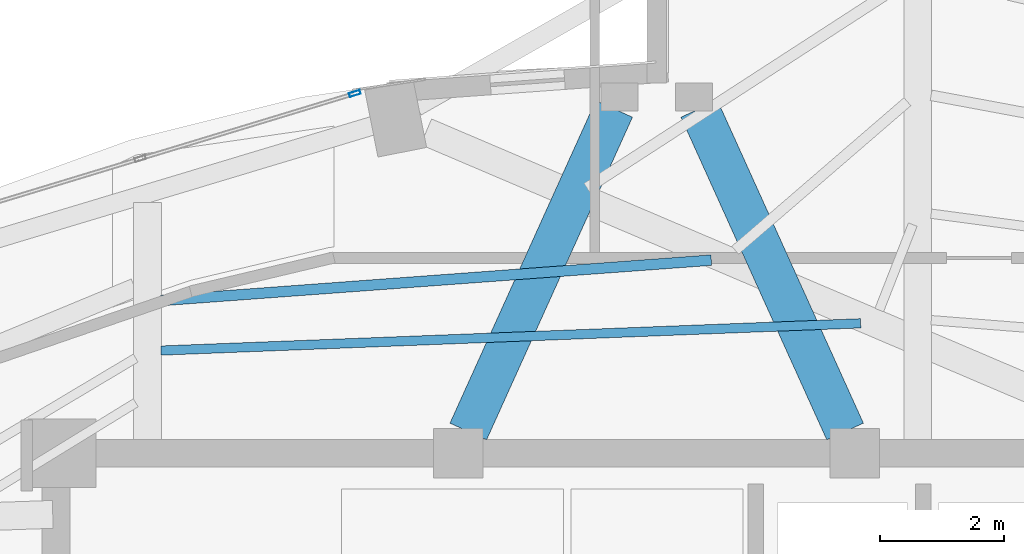
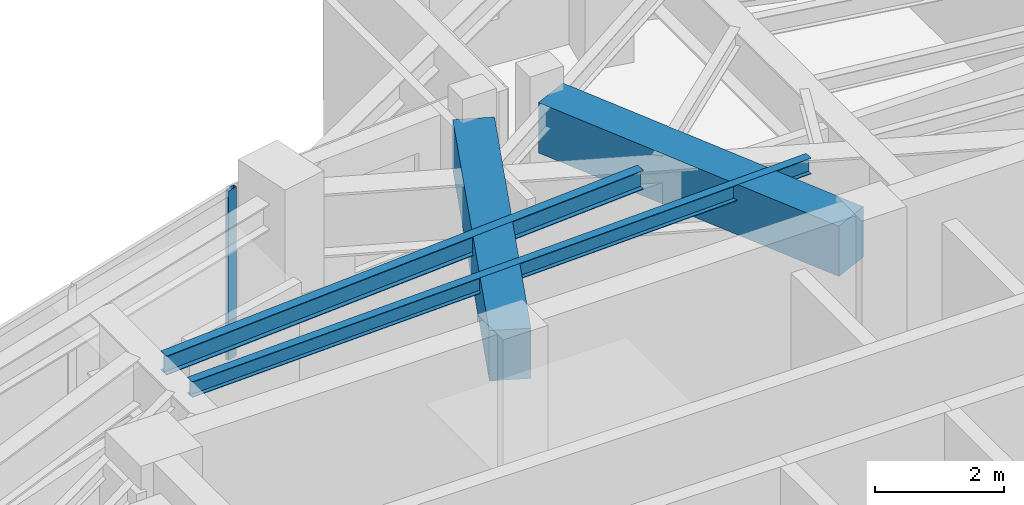
# One storey, part 11 of 23: 4 beams, 1 member, 1 element without a shape of its own.
"""IFC4 building model written with IfcOpenShell, lengths in metres."""

from ifc_helpers import new_model, si_unit, direction, frame, origin, origin_2d, place, context, subcontext, project, spatial, rectangle, hollow_rectangle, i_section, extrude, material, layer, layer_set, material_profile, profile_set, type_object, element, aggregate, save


model = new_model("IFC4")

# Units and contexts
model_context = context("Model", 3, precision=1e-05, world=origin(), true_north=direction((0.0, 1.0)))
body_context = subcontext(model_context, "Body", "Model", "MODEL_VIEW")
ifc_project = project(units=[si_unit("LENGTHUNIT", "METRE"), si_unit("AREAUNIT", "SQUARE_METRE"), si_unit("VOLUMEUNIT", "CUBIC_METRE"), si_unit("PLANEANGLEUNIT", "RADIAN"), si_unit("MASSUNIT", "GRAM", prefix="KILO")], contexts=[model_context])

# Site, building, storey
site_placement = place(None, origin())
site = spatial("IfcSite", under=ifc_project, at=site_placement, CompositionType="ELEMENT")
building_placement = place(site_placement, origin())
building = spatial("IfcBuilding", under=site, at=building_placement, Name="Lazwardi Medical Tower", CompositionType="ELEMENT")
storey_placement = place(building_placement, frame((0.0, 0.0, 265.968017578125)))
storey = spatial("IfcBuildingStorey", under=building, at=storey_placement, Name="L69", CompositionType="ELEMENT", Elevation=265.968017578125)

# Beams
ifc_material_1 = material(Name="Concrete C60/75", Category="concrete")
ifc_material_profile_1 = material_profile(ifc_material_1, rectangle(XDim=0.64990234375, YDim=0.949951171875, at=origin_2d()), Name="RC 650x950")
ifc_profile_set_1 = profile_set([ifc_material_profile_1], Name="Concrete C60/75")
beam_type_1 = type_object("IfcBeamType", Name="BM-CB-RC2", PredefinedType="LINTEL", material=ifc_profile_set_1)
for number, where, z_axis, x_axis, name in (
    (1, (32.95849609375, 35.95068359375, 2.722900390625), (0.412019279944, 0.911175127489, 0.0), (-0.911175127489, 0.412019279944, 0.0), "Core coupling lintel CB-02 PL1 L69"),
    (2, (39.04150390625, 35.95068359375, 2.722900390625), (-0.412019279944, 0.911175127489, 0.0), (-0.911175127489, -0.412019279944, 0.0), "Core coupling lintel CB-02 PL2 L69"),
):
    element("IfcBeam", number, at=place(storey_placement, frame(where, z_axis=z_axis, x_axis=x_axis)), inside=storey, type_object=beam_type_1, Name=name, PredefinedType="LINTEL", context=body_context, shape_type="SweptSolid", body=[
        extrude(rectangle(XDim=0.64990234375, YDim=0.949951171875, at=origin_2d()), origin(), (0.0, 0.0, 1.0), 5.7158203125),
    ])
ifc_material_2 = material(Name="Steel S355", Category="steel")
ifc_material_profile_2 = material_profile(ifc_material_2, i_section(OverallWidth=0.169921875, OverallDepth=0.360107421875, WebThickness=0.008056640625, FlangeThickness=0.0126953125, at=origin_2d()), Name="IPE 360")
ifc_profile_set_2 = profile_set([ifc_material_profile_2], Name="Steel S355")
beam_type_2 = type_object("IfcBeamType", Name="BM-SJ-02", PredefinedType="JOIST", material=ifc_profile_set_2)
beam_1_placement = place(storey_placement, frame((36.8818359375, 38.717041015625, 3.01806640625), z_axis=(-0.997309393421, -0.073307392487, 0.0), x_axis=(0.073307392487, -0.997309393421, 0.0)))
element("IfcBeam", 3, at=beam_1_placement, inside=storey, type_object=beam_type_2, Name="Secondary joist SJ-02 R2 B09 L69", PredefinedType="JOIST", context=body_context, shape_type="SweptSolid", body=[
    extrude(i_section(OverallWidth=0.169921875, OverallDepth=0.360107421875, WebThickness=0.008056640625, FlangeThickness=0.0126953125, at=origin_2d()), origin(), (0.0, 0.0, 1.0), 8.90869140625),
])
ifc_material_profile_3 = material_profile(ifc_material_2, i_section(OverallWidth=0.14990234375, OverallDepth=0.300048828125, WebThickness=0.007080078125, FlangeThickness=0.0107421875, at=origin_2d()), Name="IPE 300")
ifc_profile_set_3 = profile_set([ifc_material_profile_3], Name="Steel S355")
beam_type_3 = type_object("IfcBeamType", Name="BM-SJ-03", PredefinedType="JOIST", material=ifc_profile_set_3)
beam_2_placement = place(storey_placement, frame((39.29296875, 37.697021484375, 3.048095703125), z_axis=(-0.999242394458, -0.038918339093, 0.0), x_axis=(0.038918339093, -0.999242394458, 0.0)))
element("IfcBeam", 4, at=beam_2_placement, inside=storey, type_object=beam_type_3, Name="Secondary joist SJ-03 R3 B09 L69", PredefinedType="JOIST", context=body_context, shape_type="SweptSolid", body=[
    extrude(i_section(OverallWidth=0.14990234375, OverallDepth=0.300048828125, WebThickness=0.007080078125, FlangeThickness=0.0107421875, at=origin_2d()), origin(), (0.0, 0.0, 1.0), 11.30419921875),
])

# Curtain wall, member
ifc_material_3 = material(Name="Anodised bronze aluminium and solar control glazing", Category="aluminium")
ifc_layer = layer(ifc_material_3, 0.18994140625)
ifc_layer_set = layer_set([ifc_layer], Name="Anodised bronze aluminium and solar control glazing")
curtain_wall_type = type_object("IfcCurtainWallType", Name="CW-SYS-04", PredefinedType="NOTDEFINED", material=ifc_layer_set)
curtain_wall_placement = place(storey_placement, origin())
curtain_wall = element("IfcCurtainWall", 5, at=curtain_wall_placement, inside=storey, type_object=curtain_wall_type, Name="L69 Unitised bronze curtain wall CW-04", PredefinedType="NOTDEFINED")
ifc_material_4 = material(Name="Anodised bronze aluminium", Category="aluminium")
ifc_material_profile_4 = material_profile(ifc_material_4, hollow_rectangle(XDim=0.06494140625, YDim=0.179931640625, WallThickness=0.00390625, at=origin_2d()), Name="ALU-MULLION 180x65x4")
ifc_profile_set_4 = profile_set([ifc_material_profile_4], Name="Anodised bronze aluminium")
member_type = type_object("IfcMemberType", Name="CW-MUL-03", PredefinedType="MULLION", material=ifc_profile_set_4)
member_placement = place(storey_placement, frame((31.126953125, 41.406982421875, 0.0), z_axis=(0.0, 0.0, 1.0), x_axis=(0.290581889515, -0.956850126972, 0.0)))
member = element("IfcMember", 6, at=member_placement, type_object=member_type, Name="CW-04 mullion 1", PredefinedType="MULLION", context=body_context, shape_type="SweptSolid", body=[
    extrude(hollow_rectangle(XDim=0.06494140625, YDim=0.179931640625, WallThickness=0.00390625, at=origin_2d()), origin(), (0.0, 0.0, 1.0), 3.197998046875),
])
aggregate(curtain_wall, [member])

save(model, "model.ifc")
